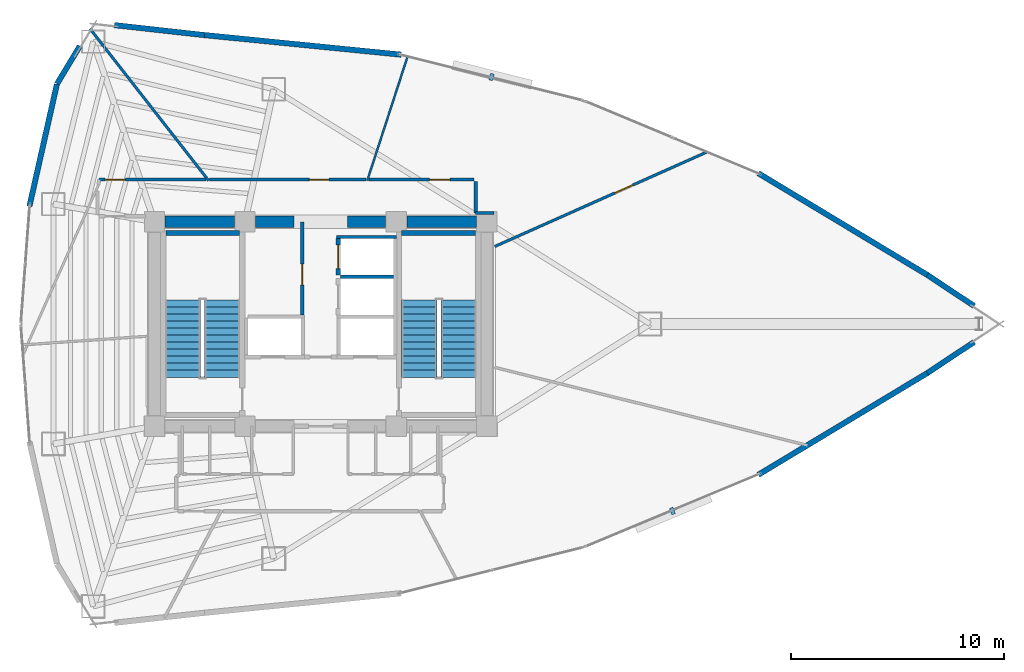
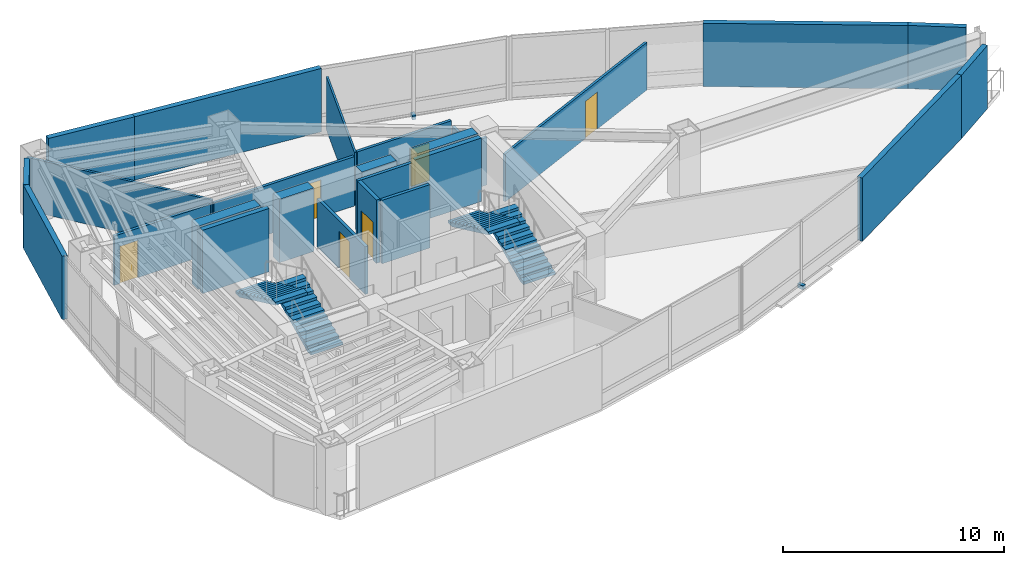
# One storey, part 15 of 18: 26 walls, 6 doors, 4 stair flights, 2 discrete accessories, 6 openings, 2 elements without a shape of their own.
"""IFC4 building model written with IfcOpenShell, lengths in metres."""

from ifc_helpers import new_model, si_unit, direction, frame, frame_2d, origin, origin_2d, place, context, subcontext, project, spatial, polyline, rectangle, outline, extrude, material, layer, layer_set, type_object, element, fill, aggregate, save


model = new_model("IFC4")

# Units and contexts
model_context = context("Model", 3, precision=1e-05, world=origin(), true_north=direction((0.0, 1.0)))
body_context = subcontext(model_context, "Body", "Model", "MODEL_VIEW")
ifc_project = project(units=[si_unit("LENGTHUNIT", "METRE"), si_unit("AREAUNIT", "SQUARE_METRE"), si_unit("VOLUMEUNIT", "CUBIC_METRE"), si_unit("PLANEANGLEUNIT", "RADIAN"), si_unit("MASSUNIT", "GRAM", prefix="KILO")], contexts=[model_context])

# Site, building, storey
site_placement = place(None, origin())
site = spatial("IfcSite", under=ifc_project, at=site_placement, CompositionType="ELEMENT")
building_placement = place(site_placement, origin())
building = spatial("IfcBuilding", under=site, at=building_placement, Name="Menara Vayukalpa", CompositionType="ELEMENT")
storey_placement = place(building_placement, frame((0.0, 0.0, 161.760009765625)))
storey = spatial("IfcBuildingStorey", under=building, at=storey_placement, Name="L40", CompositionType="ELEMENT", Elevation=161.760009765625)

# Walls
ifc_material_1 = material(Name="Concrete C60/75", Category="concrete")
ifc_layer_1 = layer(ifc_material_1, 0.550048828125)
ifc_layer_set_1 = layer_set([ifc_layer_1], Name="Concrete C60/75")
wall_type_1 = type_object("IfcWallType", Name="WAL-CW550", PredefinedType="SHEAR", material=ifc_layer_set_1)
wall_1_placement = place(storey_placement, frame((18.294921875, 26.800048828125, 0.0), z_axis=(0.0, 0.0, 1.0), x_axis=(1.0, 0.0, 0.0)))
element("IfcWall", 1, at=wall_1_placement, inside=storey, type_object=wall_type_1, Name="L40 Buttressed Core Shear Wall CWN1", PredefinedType="SHEAR", context=body_context, shape_type="SweptSolid", body=[
    extrude(rectangle(XDim=3.260009765625, YDim=0.550048828125, at=frame_2d((1.6298828125, 0.0))), origin(), (0.0, 0.0, 1.0), 3.5),
])
wall_2_placement = place(storey_placement, frame((22.544921875, 26.800048828125, 0.0), z_axis=(0.0, 0.0, 1.0), x_axis=(1.0, 0.0, 0.0)))
element("IfcWall", 2, at=wall_2_placement, inside=storey, type_object=wall_type_1, Name="L40 Buttressed Core Shear Wall CWN2", PredefinedType="SHEAR", context=body_context, shape_type="SweptSolid", body=[
    extrude(rectangle(XDim=1.80517578125, YDim=0.550048828125, at=frame_2d((0.902587890625, 0.0))), origin(), (0.0, 0.0, 1.0), 3.5),
])
wall_3_placement = place(storey_placement, frame((26.85009765625, 26.800048828125, 0.0), z_axis=(0.0, 0.0, 1.0), x_axis=(1.0, 0.0, 0.0)))
element("IfcWall", 3, at=wall_3_placement, inside=storey, type_object=wall_type_1, Name="L40 Buttressed Core Shear Wall CWN3", PredefinedType="SHEAR", context=body_context, shape_type="SweptSolid", body=[
    extrude(rectangle(XDim=1.804931640625, YDim=0.550048828125, at=frame_2d((0.90234375, 0.0))), origin(), (0.0, 0.0, 1.0), 3.5),
])
wall_4_placement = place(storey_placement, frame((29.64501953125, 26.800048828125, 0.0), z_axis=(0.0, 0.0, 1.0), x_axis=(1.0, 0.0, 0.0)))
element("IfcWall", 4, at=wall_4_placement, inside=storey, type_object=wall_type_1, Name="L40 Buttressed Core Shear Wall CWN4", PredefinedType="SHEAR", context=body_context, shape_type="SweptSolid", body=[
    extrude(rectangle(XDim=3.260009765625, YDim=0.550048828125, at=frame_2d((1.6298828125, 0.0))), origin(), (0.0, 0.0, 1.0), 3.5),
])
ifc_material_2 = material(Name="Insulated Precast Concrete C40/50", Category="concrete")
ifc_layer_2 = layer(ifc_material_2, 0.260009765625)
ifc_layer_set_2 = layer_set([ifc_layer_2], Name="Insulated Precast Concrete C40/50")
wall_type_2 = type_object("IfcWallType", Name="WAL-EXT260", PredefinedType="PARTITIONING", material=ifc_layer_set_2)
for number, where, z_axis, x_axis, name in (
    (5, (56.278076171875, 21.154541015625, 0.0), (0.0, 0.0, 1.0), (-0.833145530287, -0.553053817782, 0.0), "L40 Perimeter Terracotta Pier Wall 01"),
    (6, (54.081298828125, 24.3037109375, 0.0), (0.0, 0.0, 1.0), (0.833145530287, -0.553053817782, 0.0), "L40 Perimeter Terracotta Pier Wall 02"),
):
    element("IfcWall", number, at=place(storey_placement, frame(where, z_axis=z_axis, x_axis=x_axis)), inside=storey, type_object=wall_type_2, Name=name, PredefinedType="PARTITIONING", context=body_context, shape_type="SweptSolid", body=[
        extrude(rectangle(XDim=2.63671875, YDim=0.260009765625, at=frame_2d((1.318359375, 0.0))), origin(), (0.0, 0.0, 1.0), 3.5),
    ])
wall_5_placement = place(storey_placement, frame((46.14111328125, 29.08203125, 0.0), z_axis=(0.0, 0.0, 1.0), x_axis=(0.856788694159, -0.515667658053, 0.0)))
element("IfcWall", 7, at=wall_5_placement, inside=storey, type_object=wall_type_2, Name="L40 Perimeter Terracotta Pier Wall 03", PredefinedType="PARTITIONING", context=body_context, shape_type="SweptSolid", body=[
    extrude(rectangle(XDim=9.279052734375, YDim=0.260009765625, at=frame_2d((4.6396484375, 0.0))), origin(), (0.0, 0.0, 1.0), 3.5),
])
wall_6_placement = place(storey_placement, frame((20.141357421875, 35.564697265625, 0.0), z_axis=(0.0, 0.0, 1.0), x_axis=(0.9950896707, -0.098977508888, 0.0)))
element("IfcWall", 8, at=wall_6_placement, inside=storey, type_object=wall_type_2, Name="L40 Perimeter Terracotta Pier Wall 06", PredefinedType="PARTITIONING", context=body_context, shape_type="SweptSolid", body=[
    extrude(rectangle(XDim=9.279541015625, YDim=0.260009765625, at=frame_2d((4.6396484375, 0.0))), origin(), (0.0, 0.0, 1.0), 3.5),
])
wall_7_placement = place(storey_placement, frame((15.92138671875, 36.031494140625, 0.0), z_axis=(0.0, 0.0, 1.0), x_axis=(0.993933978819, -0.109978387641, 0.0)))
element("IfcWall", 9, at=wall_7_placement, inside=storey, type_object=wall_type_2, Name="L40 Perimeter Terracotta Pier Wall 07", PredefinedType="PARTITIONING", context=body_context, shape_type="SweptSolid", body=[
    extrude(rectangle(XDim=4.2578125, YDim=0.260009765625, at=frame_2d((2.12890625, 0.0))), origin(), (0.0, 0.0, 1.0), 3.5),
])
wall_8_placement = place(storey_placement, frame((13.22119140625, 33.272216796875, 0.0), z_axis=(0.0, 0.0, 1.0), x_axis=(0.516157331647, 0.856493788061, 0.0)))
element("IfcWall", 10, at=wall_8_placement, inside=storey, type_object=wall_type_2, Name="L40 Perimeter Terracotta Pier Wall 08", PredefinedType="PARTITIONING", context=body_context, shape_type="SweptSolid", body=[
    extrude(rectangle(XDim=2.0732421875, YDim=0.260009765625, at=frame_2d((1.03662109375, 0.0))), origin(), (0.0, 0.0, 1.0), 3.5),
])
wall_9_placement = place(storey_placement, frame((11.925048828125, 27.5244140625, 0.0), z_axis=(0.0, 0.0, 1.0), x_axis=(0.219491422264, 0.975614429758, 0.0)))
element("IfcWall", 11, at=wall_9_placement, inside=storey, type_object=wall_type_2, Name="L40 Perimeter Terracotta Pier Wall 09", PredefinedType="PARTITIONING", context=body_context, shape_type="SweptSolid", body=[
    extrude(rectangle(XDim=5.873046875, YDim=0.260009765625, at=frame_2d((2.9365234375, 0.0))), origin(), (0.0, 0.0, 1.0), 3.5),
])
wall_10_placement = place(storey_placement, frame((54.09130859375, 19.702880859375, 0.0), z_axis=(0.0, 0.0, 1.0), x_axis=(-0.856788694159, -0.515667658053, 0.0)))
element("IfcWall", 12, at=wall_10_placement, inside=storey, type_object=wall_type_2, Name="L40 Perimeter Terracotta Pier Wall 18", PredefinedType="PARTITIONING", context=body_context, shape_type="SweptSolid", body=[
    extrude(rectangle(XDim=9.279052734375, YDim=0.260009765625, at=frame_2d((4.6396484375, 0.0))), origin(), (0.0, 0.0, 1.0), 3.5),
])
ifc_material_3 = material(Name="Lightweight Concrete Blockwork C16/20", Category="masonry")
ifc_layer_3 = layer(ifc_material_3, 0.159912109375)
ifc_layer_set_3 = layer_set([ifc_layer_3], Name="Lightweight Concrete Blockwork C16/20")
wall_type_3 = type_object("IfcWallType", Name="WAL-FR150", PredefinedType="PARTITIONING", material=ifc_layer_set_3)
wall_11_placement = place(storey_placement, frame((26.530029296875, 24.215087890625, 0.0), z_axis=(0.0, 0.0, 1.0), x_axis=(1.0, 0.0, 0.0)))
element("IfcWall", 13, at=wall_11_placement, inside=storey, type_object=wall_type_3, Name="L40 Interior Partition IW-L40-SHM-E32", PredefinedType="PARTITIONING", context=body_context, shape_type="SweptSolid", body=[
    extrude(rectangle(XDim=2.489990234375, YDim=0.159912109375, at=frame_2d((1.2451171875, 0.0))), origin(), (0.0, 0.0, 1.0), 3.5),
])
wall_12_placement = place(storey_placement, frame((26.340087890625, 26.0849609375, 0.0), z_axis=(0.0, 0.0, 1.0), x_axis=(1.0, 0.0, 0.0)))
element("IfcWall", 14, at=wall_12_placement, inside=storey, type_object=wall_type_3, Name="L40 Interior Partition IW-L40-SHM-E2N", PredefinedType="PARTITIONING", context=body_context, shape_type="SweptSolid", body=[
    extrude(rectangle(XDim=2.829833984375, YDim=0.159912109375, at=frame_2d((1.4150390625, 0.0))), origin(), (0.0, 0.0, 1.0), 3.5),
])

# Wall, opening, door
wall_13_placement = place(storey_placement, frame((24.739990234375, 22.429931640625, 0.0), z_axis=(0.0, 0.0, 1.0), x_axis=(0.0, 1.0, 0.0)))
wall_13 = element("IfcWall", 15, at=wall_13_placement, inside=storey, type_object=wall_type_3, Name="L40 Interior Partition IW-L40-LV7W", PredefinedType="PARTITIONING", context=body_context, shape_type="SweptSolid", body=[
    extrude(rectangle(XDim=4.3701171875, YDim=0.159912109375, at=frame_2d((2.18505859375, 0.0))), origin(), (0.0, 0.0, 1.0), 2.6298828125),
])
opening_1_placement = place(wall_13_placement, frame((1.39990234375, 0.0, 0.0)))
opening_1 = element("IfcOpeningElement", 16, at=opening_1_placement, cuts=wall_13, Name="Opening ID3", PredefinedType="OPENING", context=body_context, shape_type="SweptSolid", body=[
    extrude(rectangle(XDim=0.97998046875, YDim=2.06005859375, at=frame_2d((0.489990234375, 1.030029296875))), frame((0.0, 0.08984375, 0.0), z_axis=(0.0, -1.0, 0.0), x_axis=(1.0, 0.0, 0.0)), (0.0, 0.0, 1.0), 0.179931640625),
])
ifc_material_4 = material(Name="Fire-Rated Powder-Coated Steel Door", Category="steel")
door_type_1 = type_object("IfcDoorType", Name="DR-FD60", OperationType="NOTDEFINED", PredefinedType="DOOR", material=ifc_material_4)
door_1_placement = place(opening_1_placement, origin())
door_1 = element("IfcDoor", 17, at=door_1_placement, inside=storey, type_object=door_type_1, Name="L40 Interior Door DR-L40-LV7W", OperationType="SINGLE_SWING_LEFT", OverallHeight=2.06005859375, OverallWidth=0.97998046875, PredefinedType="DOOR", context=body_context, shape_type="SweptSolid", body=[
    extrude(rectangle(XDim=0.97998046875, YDim=2.06005859375, at=frame_2d((0.489990234375, 1.030029296875))), frame((0.0, 0.02490234375, 0.0), z_axis=(0.0, -1.0, 0.0), x_axis=(1.0, 0.0, 0.0)), (0.0, 0.0, 1.0), 0.050048828125),
])
fill(opening_1, door_1)

ifc_material_5 = material(Name="Lightweight Concrete Blockwork C16/20", Category="masonry")
ifc_layer_4 = layer(ifc_material_5, 0.199951171875)
ifc_layer_set_4 = layer_set([ifc_layer_4], Name="Lightweight Concrete Blockwork C16/20")
wall_type_4 = type_object("IfcWallType", Name="WAL-FR200", PredefinedType="PARTITIONING", material=ifc_layer_set_4)
wall_14_placement = place(storey_placement, frame((26.419921875, 24.2900390625, 0.0), z_axis=(0.0, 0.0, 1.0), x_axis=(0.0, 1.0, 0.0)))
wall_14 = element("IfcWall", 18, at=wall_14_placement, inside=storey, type_object=wall_type_4, Name="L40 Interior Partition IW-L40-SH-E2", PredefinedType="PARTITIONING", context=body_context, shape_type="SweptSolid", body=[
    extrude(rectangle(XDim=1.719970703125, YDim=0.199951171875, at=frame_2d((0.85986328125, 0.0))), origin(), (0.0, 0.0, 1.0), 3.5),
])
opening_2_placement = place(wall_14_placement, frame((0.31005859375, 0.0, 0.0)))
opening_2 = element("IfcOpeningElement", 19, at=opening_2_placement, cuts=wall_14, Name="Opening LD1", PredefinedType="OPENING", context=body_context, shape_type="SweptSolid", body=[
    extrude(rectangle(XDim=1.10009765625, YDim=2.080078125, at=frame_2d((0.550048828125, 1.0400390625))), frame((0.0, 0.10986328125, 0.0), z_axis=(0.0, -1.0, 0.0), x_axis=(1.0, 0.0, 0.0)), (0.0, 0.0, 1.0), 0.219970703125),
])
ifc_material_6 = material(Name="Brushed Stainless Steel 316 Lift Door", Category="steel")
door_type_2 = type_object("IfcDoorType", Name="DR-LD110", OperationType="NOTDEFINED", PredefinedType="DOOR", material=ifc_material_6)
door_2_placement = place(opening_2_placement, origin())
door_2 = element("IfcDoor", 20, at=door_2_placement, inside=storey, type_object=door_type_2, Name="L40 Interior Door DR-L40-LD-E2", OperationType="DOUBLE_DOOR_SLIDING", OverallHeight=2.080078125, OverallWidth=1.10009765625, PredefinedType="DOOR", context=body_context, shape_type="SweptSolid", body=[
    extrude(rectangle(XDim=1.10009765625, YDim=2.080078125, at=frame_2d((0.550048828125, 1.0400390625))), frame((0.0, 0.02490234375, 0.0), z_axis=(0.0, -1.0, 0.0), x_axis=(1.0, 0.0, 0.0)), (0.0, 0.0, 1.0), 0.050048828125),
])
fill(opening_2, door_2)

# Wall
ifc_material_7 = material(Name="Glazed Demountable Office Partition", Category="glass")
ifc_layer_5 = layer(ifc_material_7, 0.094970703125)
ifc_layer_set_5 = layer_set([ifc_layer_5], Name="Glazed Demountable Office Partition")
wall_type_5 = type_object("IfcWallType", Name="WAL-PT100", PredefinedType="PARTITIONING", material=ifc_layer_set_5)
wall_15_placement = place(storey_placement, frame((27.78662109375, 28.72998046875, 0.0), z_axis=(0.0, 0.0, 1.0), x_axis=(0.309017664707, 0.951056298491, 0.0)))
element("IfcWall", 21, at=wall_15_placement, inside=storey, type_object=wall_type_5, Name="L40 Interior Partition IW-L40-RDIV02", PredefinedType="PARTITIONING", context=body_context, shape_type="SweptSolid", body=[
    extrude(rectangle(XDim=6.13330078125, YDim=0.094970703125, at=frame_2d((3.066650390625, 0.0))), origin(), (0.0, 0.0, 1.0), 2.929931640625),
])

# Wall, opening, door
ifc_material_8 = material(Name="Gypsum Drywall Steel Stud Assembly", Category="steel")
ifc_layer_6 = layer(ifc_material_8, 0.125)
ifc_layer_set_6 = layer_set([ifc_layer_6], Name="Gypsum Drywall Steel Stud Assembly")
wall_type_6 = type_object("IfcWallType", Name="WAL-PT125", PredefinedType="PARTITIONING", material=ifc_layer_set_6)
wall_16_placement = place(storey_placement, frame((33.77001953125, 25.637451171875, 0.0), z_axis=(0.0, 0.0, 1.0), x_axis=(0.913542006179, 0.406744395102, 0.0)))
wall_16 = element("IfcWall", 22, at=wall_16_placement, inside=storey, type_object=wall_type_6, Name="L40 Interior Partition IW-L40-RDIV01", PredefinedType="PARTITIONING", context=body_context, shape_type="SweptSolid", body=[
    extrude(rectangle(XDim=10.91455078125, YDim=0.125, at=frame_2d((5.457275390625, 0.0))), origin(), (0.0, 0.0, 1.0), 2.6298828125),
])
opening_3_placement = place(wall_16_placement, frame((6.176513671875, 0.0, 0.0)))
opening_3 = element("IfcOpeningElement", 23, at=opening_3_placement, cuts=wall_16, Name="Opening ID6", PredefinedType="OPENING", context=body_context, shape_type="SweptSolid", body=[
    extrude(rectangle(XDim=0.919921875, YDim=2.050048828125, at=frame_2d((0.4599609375, 1.02490234375))), frame((0.0, 0.072509765625, 0.0), z_axis=(0.0, -1.0, 0.0), x_axis=(1.0, 0.0, 0.0)), (0.0, 0.0, 1.0), 0.14501953125),
])
ifc_material_9 = material(Name="Acoustic Hardwood Veneer Timber Door", Category="wood")
door_type_3 = type_object("IfcDoorType", Name="DR-INT92", OperationType="NOTDEFINED", PredefinedType="DOOR", material=ifc_material_9)
door_3_placement = place(opening_3_placement, origin())
door_3 = element("IfcDoor", 24, at=door_3_placement, inside=storey, type_object=door_type_3, Name="L40 Interior Door DR-L40-STE04", OperationType="SINGLE_SWING_LEFT", OverallHeight=2.050048828125, OverallWidth=0.919921875, PredefinedType="DOOR", context=body_context, shape_type="SweptSolid", body=[
    extrude(rectangle(XDim=0.919921875, YDim=2.050048828125, at=frame_2d((0.4599609375, 1.02490234375))), frame((0.0, 0.02490234375, 0.0), z_axis=(0.0, -1.0, 0.0), x_axis=(1.0, 0.0, 0.0)), (0.0, 0.0, 1.0), 0.050048828125),
])
fill(opening_3, door_3)

# Walls
wall_17_placement = place(storey_placement, frame((20.341796875, 28.72998046875, 0.0), z_axis=(0.0, 0.0, 1.0), x_axis=(-0.615659223334, 0.78801251305, 0.0)))
element("IfcWall", 25, at=wall_17_placement, inside=storey, type_object=wall_type_6, Name="L40 Interior Partition IW-L40-RDIV03", PredefinedType="PARTITIONING", context=body_context, shape_type="SweptSolid", body=[
    extrude(rectangle(XDim=9.050048828125, YDim=0.125, at=frame_2d((4.52490234375, 0.0))), origin(), (0.0, 0.0, 1.0), 2.929931640625),
])
ifc_material_10 = material(Name="Gypsum Drywall Acoustic Stud Assembly", Category="masonry")
ifc_layer_7 = layer(ifc_material_10, 0.14501953125)
ifc_layer_set_7 = layer_set([ifc_layer_7], Name="Gypsum Drywall Acoustic Stud Assembly")
wall_type_7 = type_object("IfcWallType", Name="WAL-PT150", PredefinedType="PARTITIONING", material=ifc_layer_set_7)
wall_18_placement = place(storey_placement, frame((33.739990234375, 27.219970703125, 0.0), z_axis=(0.0, 0.0, 1.0), x_axis=(-1.0, 0.0, 0.0)))
element("IfcWall", 26, at=wall_18_placement, inside=storey, type_object=wall_type_7, Name="L40 Interior Partition IW-L40-CRM05-1", PredefinedType="PARTITIONING", context=body_context, shape_type="SweptSolid", body=[
    extrude(rectangle(XDim=0.860107421875, YDim=0.14501953125, at=frame_2d((0.43017578125, 0.0))), origin(), (0.0, 0.0, 1.0), 2.6298828125),
])
wall_19_placement = place(storey_placement, frame((32.8798828125, 27.219970703125, 0.0), z_axis=(0.0, 0.0, 1.0), x_axis=(0.0, 1.0, 0.0)))
element("IfcWall", 27, at=wall_19_placement, inside=storey, type_object=wall_type_7, Name="L40 Interior Partition IW-L40-CRM05-2", PredefinedType="PARTITIONING", context=body_context, shape_type="SweptSolid", body=[
    extrude(rectangle(XDim=1.47998046875, YDim=0.14501953125, at=frame_2d((0.739990234375, 0.0))), origin(), (0.0, 0.0, 1.0), 2.6298828125),
])

# Wall, opening, door
wall_20_placement = place(storey_placement, frame((32.800048828125, 28.780029296875, 0.0), z_axis=(0.0, 0.0, 1.0), x_axis=(-1.0, 0.0, 0.0)))
wall_20 = element("IfcWall", 28, at=wall_20_placement, inside=storey, type_object=wall_type_7, Name="L40 Interior Partition IW-L40-CRM05-3", PredefinedType="PARTITIONING", context=body_context, shape_type="SweptSolid", body=[
    extrude(rectangle(XDim=4.92333984375, YDim=0.14501953125, at=frame_2d((2.461669921875, 0.0))), origin(), (0.0, 0.0, 1.0), 2.929931640625),
])
opening_4_placement = place(wall_20_placement, frame((1.13330078125, 0.0, 0.0)))
opening_4 = element("IfcOpeningElement", 29, at=opening_4_placement, cuts=wall_20, Name="Opening ID5", PredefinedType="OPENING", context=body_context, shape_type="SweptSolid", body=[
    extrude(rectangle(XDim=0.949951171875, YDim=2.06005859375, at=frame_2d((0.47509765625, 1.030029296875))), frame((0.0, 0.08251953125, 0.0), z_axis=(0.0, -1.0, 0.0), x_axis=(1.0, 0.0, 0.0)), (0.0, 0.0, 1.0), 0.1650390625),
])
ifc_material_11 = material(Name="Acoustic Hardwood Veneer Timber Door", Category="wood")
door_type_4 = type_object("IfcDoorType", Name="DR-INT95", OperationType="NOTDEFINED", PredefinedType="DOOR", material=ifc_material_11)
door_4_placement = place(opening_4_placement, origin())
door_4 = element("IfcDoor", 30, at=door_4_placement, inside=storey, type_object=door_type_4, Name="L40 Interior Door DR-L40-RM05", OperationType="SINGLE_SWING_LEFT", OverallHeight=2.06005859375, OverallWidth=0.949951171875, PredefinedType="DOOR", context=body_context, shape_type="SweptSolid", body=[
    extrude(rectangle(XDim=0.949951171875, YDim=2.06005859375, at=frame_2d((0.47509765625, 1.030029296875))), frame((0.0, 0.02490234375, 0.0), z_axis=(0.0, -1.0, 0.0), x_axis=(1.0, 0.0, 0.0)), (0.0, 0.0, 1.0), 0.050048828125),
])
fill(opening_4, door_4)

wall_21_placement = place(storey_placement, frame((27.7294921875, 28.780029296875, 0.0), z_axis=(0.0, 0.0, 1.0), x_axis=(-1.0, 0.0, 0.0)))
wall_21 = element("IfcWall", 31, at=wall_21_placement, inside=storey, type_object=wall_type_7, Name="L40 Interior Partition IW-L40-CRM06-1", PredefinedType="PARTITIONING", context=body_context, shape_type="SweptSolid", body=[
    extrude(rectangle(XDim=7.337890625, YDim=0.14501953125, at=frame_2d((3.6689453125, 0.0))), origin(), (0.0, 0.0, 1.0), 2.72998046875),
])
opening_5_placement = place(wall_21_placement, frame((1.744384765625, 0.0, 0.0)))
opening_5 = element("IfcOpeningElement", 32, at=opening_5_placement, cuts=wall_21, Name="Opening ID6", PredefinedType="OPENING", context=body_context, shape_type="SweptSolid", body=[
    extrude(rectangle(XDim=0.919921875, YDim=2.050048828125, at=frame_2d((0.4599609375, 1.02490234375))), frame((0.0, 0.08251953125, 0.0), z_axis=(0.0, -1.0, 0.0), x_axis=(1.0, 0.0, 0.0)), (0.0, 0.0, 1.0), 0.1650390625),
])
door_5_placement = place(opening_5_placement, origin())
door_5 = element("IfcDoor", 33, at=door_5_placement, inside=storey, type_object=door_type_3, Name="L40 Interior Door DR-L40-RM06", OperationType="SINGLE_SWING_RIGHT", OverallHeight=2.050048828125, OverallWidth=0.919921875, PredefinedType="DOOR", context=body_context, shape_type="SweptSolid", body=[
    extrude(rectangle(XDim=0.919921875, YDim=2.050048828125, at=frame_2d((0.4599609375, 1.02490234375))), frame((0.0, 0.02490234375, 0.0), z_axis=(0.0, -1.0, 0.0), x_axis=(1.0, 0.0, 0.0)), (0.0, 0.0, 1.0), 0.050048828125),
])
fill(opening_5, door_5)

wall_22_placement = place(storey_placement, frame((20.214111328125, 28.780029296875, 0.0), z_axis=(0.0, 0.0, 1.0), x_axis=(-1.0, 0.0, 0.0)))
wall_22 = element("IfcWall", 34, at=wall_22_placement, inside=storey, type_object=wall_type_7, Name="L40 Interior Partition IW-L40-CRM07-1", PredefinedType="PARTITIONING", context=body_context, shape_type="SweptSolid", body=[
    extrude(rectangle(XDim=5.01416015625, YDim=0.14501953125, at=frame_2d((2.507080078125, 0.0))), origin(), (0.0, 0.0, 1.0), 2.72998046875),
])
opening_6_placement = place(wall_22_placement, frame((3.7841796875, 0.0, 0.0)))
opening_6 = element("IfcOpeningElement", 35, at=opening_6_placement, cuts=wall_22, Name="Opening ID5", PredefinedType="OPENING", context=body_context, shape_type="SweptSolid", body=[
    extrude(rectangle(XDim=0.949951171875, YDim=2.06005859375, at=frame_2d((0.47509765625, 1.030029296875))), frame((0.0, 0.08251953125, 0.0), z_axis=(0.0, -1.0, 0.0), x_axis=(1.0, 0.0, 0.0)), (0.0, 0.0, 1.0), 0.1650390625),
])
door_6_placement = place(opening_6_placement, origin())
door_6 = element("IfcDoor", 36, at=door_6_placement, inside=storey, type_object=door_type_4, Name="L40 Interior Door DR-L40-RM07", OperationType="SINGLE_SWING_LEFT", OverallHeight=2.06005859375, OverallWidth=0.949951171875, PredefinedType="DOOR", context=body_context, shape_type="SweptSolid", body=[
    extrude(rectangle(XDim=0.949951171875, YDim=2.06005859375, at=frame_2d((0.47509765625, 1.030029296875))), frame((0.0, 0.02490234375, 0.0), z_axis=(0.0, -1.0, 0.0), x_axis=(1.0, 0.0, 0.0)), (0.0, 0.0, 1.0), 0.050048828125),
])
fill(opening_6, door_6)

# Walls
ifc_material_12 = material(Name="Concrete C50/60", Category="concrete")
ifc_layer_8 = layer(ifc_material_12, 0.25)
ifc_layer_set_8 = layer_set([ifc_layer_8], Name="Concrete C50/60")
wall_type_8 = type_object("IfcWallType", Name="WAL-SW250", PredefinedType="SHEAR", material=ifc_layer_set_8)
wall_23_placement = place(storey_placement, frame((18.3291015625, 26.27490234375, 0.0), z_axis=(0.0, 0.0, 1.0), x_axis=(1.0, 0.0, 0.0)))
element("IfcWall", 37, at=wall_23_placement, inside=storey, type_object=wall_type_8, Name="L40 ST1 Structural Stair Shaft Wall N", PredefinedType="SHEAR", context=body_context, shape_type="SweptSolid", body=[
    extrude(rectangle(XDim=3.470947265625, YDim=0.25, at=frame_2d((1.7353515625, 0.0))), origin(), (0.0, 0.0, 1.0), 3.5),
])
wall_24_placement = place(storey_placement, frame((29.39990234375, 26.27490234375, 0.0), z_axis=(0.0, 0.0, 1.0), x_axis=(1.0, 0.0, 0.0)))
element("IfcWall", 38, at=wall_24_placement, inside=storey, type_object=wall_type_8, Name="L40 ST2 Structural Stair Shaft Wall N", PredefinedType="SHEAR", context=body_context, shape_type="SweptSolid", body=[
    extrude(rectangle(XDim=3.47119140625, YDim=0.25, at=frame_2d((1.735595703125, 0.0))), origin(), (0.0, 0.0, 1.0), 3.5),
])

# Stair, stair flights
ifc_material_13 = material(Name="Precast Concrete C40/50", Category="concrete")
stair_type = type_object("IfcStairType", Name="STR-T04", PredefinedType="DOUBLE_RETURN_STAIR", material=ifc_material_13)
stair_1_placement = place(storey_placement, origin())
stair_1 = element("IfcStair", 39, at=stair_1_placement, inside=storey, type_object=stair_type, Name="L40 Core Exit Stair ST-1", PredefinedType="DOUBLE_RETURN_STAIR")
ifc_material_14 = material(Name="Precast Concrete C40/50", Category="concrete")
stair_flight_type = type_object("IfcStairFlightType", Name="STF-T04", PredefinedType="STRAIGHT", material=ifc_material_14)
stair_flight_1_placement = place(storey_placement, frame((20.97509765625, 19.5, 0.0), z_axis=(0.0, 0.0, 1.0), x_axis=(0.0, 1.0, 0.0)))
stair_flight_1 = element("IfcStairFlight", 40, at=stair_flight_1_placement, type_object=stair_flight_type, Name="ST-1 flight 1", NumberOfRisers=12, NumberOfTreads=11, PredefinedType="STRAIGHT", RiserHeight=0.155, TreadLength=0.33, context=body_context, shape_type="SweptSolid", body=[
    extrude(outline(polyline([(0.0, 0.0), (0.0, 0.155029296875), (0.330078125, 0.155029296875), (0.330078125, 0.31005859375), (0.659912109375, 0.31005859375), (0.659912109375, 0.465087890625), (0.989990234375, 0.465087890625), (0.989990234375, 0.6201171875), (1.320068359375, 0.6201171875), (1.320068359375, 0.77490234375), (1.64990234375, 0.77490234375), (1.64990234375, 0.929931640625), (1.97998046875, 0.929931640625), (1.97998046875, 1.0849609375), (2.31005859375, 1.0849609375), (2.31005859375, 1.239990234375), (2.639892578125, 1.239990234375), (2.639892578125, 1.39501953125), (2.969970703125, 1.39501953125), (2.969970703125, 1.550048828125), (3.300048828125, 1.550048828125), (3.300048828125, 1.705078125), (3.6298828125, 1.705078125), (3.6298828125, 1.860107421875), (3.6298828125, 1.539306640625), (0.3525390625, 0.0), (0.0, 0.0)])), frame((0.0, 0.824951171875, 0.0), z_axis=(0.0, -1.0, 0.0), x_axis=(1.0, 0.0, 0.0)), (0.0, 0.0, 1.0), 1.64990234375),
])
stair_flight_2_placement = place(storey_placement, frame((19.125, 23.1298828125, 1.860107421875), z_axis=(0.0, 0.0, 1.0), x_axis=(0.0, -1.0, 0.0)))
stair_flight_2 = element("IfcStairFlight", 41, at=stair_flight_2_placement, type_object=stair_flight_type, Name="ST-1 flight 2", NumberOfRisers=12, NumberOfTreads=11, PredefinedType="STRAIGHT", RiserHeight=0.155, TreadLength=0.33, context=body_context, shape_type="SweptSolid", body=[
    extrude(outline(polyline([(0.0, 0.0), (0.0, 0.155029296875), (0.330078125, 0.155029296875), (0.330078125, 0.31005859375), (0.659912109375, 0.31005859375), (0.659912109375, 0.465087890625), (0.989990234375, 0.465087890625), (0.989990234375, 0.6201171875), (1.320068359375, 0.6201171875), (1.320068359375, 0.77490234375), (1.64990234375, 0.77490234375), (1.64990234375, 0.929931640625), (1.97998046875, 0.929931640625), (1.97998046875, 1.0849609375), (2.31005859375, 1.0849609375), (2.31005859375, 1.239990234375), (2.639892578125, 1.239990234375), (2.639892578125, 1.39501953125), (2.969970703125, 1.39501953125), (2.969970703125, 1.550048828125), (3.300048828125, 1.550048828125), (3.300048828125, 1.705078125), (3.6298828125, 1.705078125), (3.6298828125, 1.860107421875), (3.6298828125, 1.539306640625), (0.3525390625, 0.0), (0.0, 0.0)])), frame((0.0, 0.824951171875, 0.0), z_axis=(0.0, -1.0, 0.0), x_axis=(1.0, 0.0, 0.0)), (0.0, 0.0, 1.0), 1.64990234375),
])
aggregate(stair_1, [stair_flight_1, stair_flight_2])

stair_2_placement = place(storey_placement, origin())
stair_2 = element("IfcStair", 42, at=stair_2_placement, inside=storey, type_object=stair_type, Name="L40 Core Exit Stair ST-2", PredefinedType="DOUBLE_RETURN_STAIR")
stair_flight_3_placement = place(storey_placement, frame((32.074951171875, 19.5, 0.0), z_axis=(0.0, 0.0, 1.0), x_axis=(0.0, 1.0, 0.0)))
stair_flight_3 = element("IfcStairFlight", 43, at=stair_flight_3_placement, type_object=stair_flight_type, Name="ST-2 flight 1", NumberOfRisers=12, NumberOfTreads=11, PredefinedType="STRAIGHT", RiserHeight=0.155, TreadLength=0.33, context=body_context, shape_type="SweptSolid", body=[
    extrude(outline(polyline([(0.0, 0.0), (0.0, 0.155029296875), (0.330078125, 0.155029296875), (0.330078125, 0.31005859375), (0.659912109375, 0.31005859375), (0.659912109375, 0.465087890625), (0.989990234375, 0.465087890625), (0.989990234375, 0.6201171875), (1.320068359375, 0.6201171875), (1.320068359375, 0.77490234375), (1.64990234375, 0.77490234375), (1.64990234375, 0.929931640625), (1.97998046875, 0.929931640625), (1.97998046875, 1.0849609375), (2.31005859375, 1.0849609375), (2.31005859375, 1.239990234375), (2.639892578125, 1.239990234375), (2.639892578125, 1.39501953125), (2.969970703125, 1.39501953125), (2.969970703125, 1.550048828125), (3.300048828125, 1.550048828125), (3.300048828125, 1.705078125), (3.6298828125, 1.705078125), (3.6298828125, 1.860107421875), (3.6298828125, 1.539306640625), (0.3525390625, 0.0), (0.0, 0.0)])), frame((0.0, 0.824951171875, 0.0), z_axis=(0.0, -1.0, 0.0), x_axis=(1.0, 0.0, 0.0)), (0.0, 0.0, 1.0), 1.64990234375),
])
stair_flight_4_placement = place(storey_placement, frame((30.22509765625, 23.1298828125, 1.860107421875), z_axis=(0.0, 0.0, 1.0), x_axis=(0.0, -1.0, 0.0)))
stair_flight_4 = element("IfcStairFlight", 44, at=stair_flight_4_placement, type_object=stair_flight_type, Name="ST-2 flight 2", NumberOfRisers=12, NumberOfTreads=11, PredefinedType="STRAIGHT", RiserHeight=0.155, TreadLength=0.33, context=body_context, shape_type="SweptSolid", body=[
    extrude(outline(polyline([(0.0, 0.0), (0.0, 0.155029296875), (0.330078125, 0.155029296875), (0.330078125, 0.31005859375), (0.659912109375, 0.31005859375), (0.659912109375, 0.465087890625), (0.989990234375, 0.465087890625), (0.989990234375, 0.6201171875), (1.320068359375, 0.6201171875), (1.320068359375, 0.77490234375), (1.64990234375, 0.77490234375), (1.64990234375, 0.929931640625), (1.97998046875, 0.929931640625), (1.97998046875, 1.0849609375), (2.31005859375, 1.0849609375), (2.31005859375, 1.239990234375), (2.639892578125, 1.239990234375), (2.639892578125, 1.39501953125), (2.969970703125, 1.39501953125), (2.969970703125, 1.550048828125), (3.300048828125, 1.550048828125), (3.300048828125, 1.705078125), (3.6298828125, 1.705078125), (3.6298828125, 1.860107421875), (3.6298828125, 1.539306640625), (0.3525390625, 0.0), (0.0, 0.0)])), frame((0.0, 0.824951171875, 0.0), z_axis=(0.0, -1.0, 0.0), x_axis=(1.0, 0.0, 0.0)), (0.0, 0.0, 1.0), 1.64990234375),
])
aggregate(stair_2, [stair_flight_3, stair_flight_4])

# Discrete accessories
ifc_material_15 = material(Name="Stainless Steel 316 Sunshade Bracket", Category="steel")
discrete_accessory_type = type_object("IfcDiscreteAccessoryType", Name="ACC-BRK1", PredefinedType="BRACKET", material=ifc_material_15)
for number, where, z_axis, x_axis, name in (
    (45, (33.62109375, 33.596435546875, -0.16015625), (0.0, 0.0, 1.0), (-0.969999438853, 0.243107154615, 0.0), "L40 Terracotta Sunshade Bracket 05"),
    (46, (42.110107421875, 13.220947265625, -0.16015625), (0.0, 0.0, 1.0), (0.922881225826, 0.38508472187, 0.0), "L40 Terracotta Sunshade Bracket 17"),
):
    element("IfcDiscreteAccessory", number, at=place(storey_placement, frame(where, z_axis=z_axis, x_axis=x_axis)), inside=storey, type_object=discrete_accessory_type, Name=name, PredefinedType="BRACKET", context=body_context, shape_type="SweptSolid", body=[
        extrude(rectangle(XDim=0.179931640625, YDim=0.320068359375, at=origin_2d()), origin(), (0.0, 0.0, 1.0), 0.219970703125),
    ])

save(model, "model.ifc")
